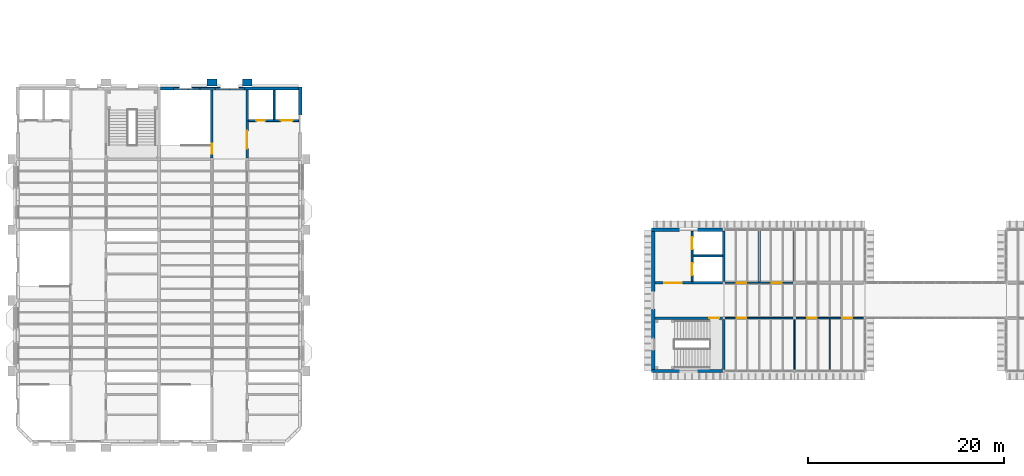
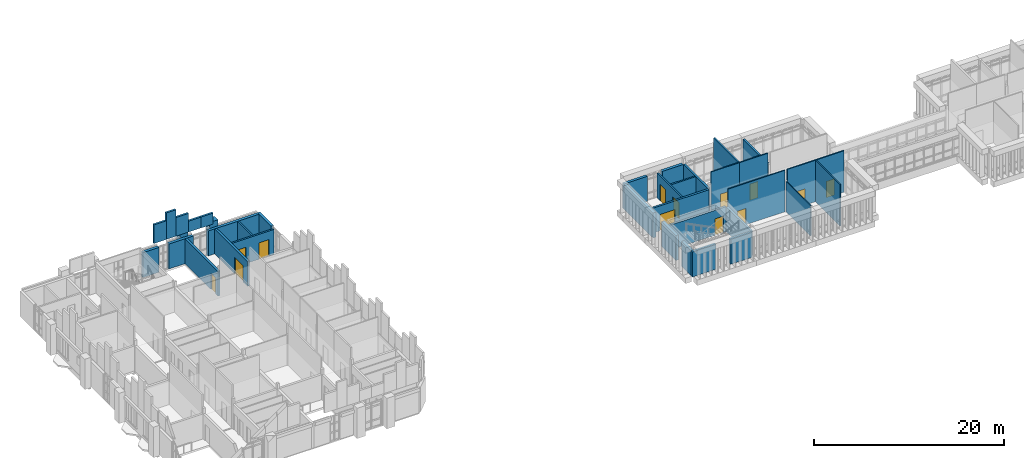
# One storey, part 36 of 51: 37 walls, 13 doors, 13 openings.
"""IFC4 building model written with IfcOpenShell, lengths in metres."""

from ifc_helpers import new_model, si_unit, direction, frame, frame_2d, origin, place, context, subcontext, project, spatial, rectangle, extrude, material, layer, layer_set, type_object, element, fill, save


model = new_model("IFC4")

# Units and contexts
model_context = context("Model", 3, precision=1e-05, world=origin(), true_north=direction((0.0, 1.0)))
body_context = subcontext(model_context, "Body", "Model", "MODEL_VIEW")
ifc_project = project(units=[si_unit("LENGTHUNIT", "METRE"), si_unit("AREAUNIT", "SQUARE_METRE"), si_unit("VOLUMEUNIT", "CUBIC_METRE"), si_unit("PLANEANGLEUNIT", "RADIAN"), si_unit("MASSUNIT", "GRAM", prefix="KILO")], contexts=[model_context])

# Site, building, storey
site_placement = place(None, origin())
site = spatial("IfcSite", under=ifc_project, at=site_placement, CompositionType="ELEMENT")
building_placement = place(site_placement, origin())
building = spatial("IfcBuilding", under=site, at=building_placement, Name="Mazhai Court Health Centre", CompositionType="ELEMENT")
storey_placement = place(building_placement, frame((0.0, 0.0, 14.10009765625)))
storey = spatial("IfcBuildingStorey", under=building, at=storey_placement, Name="L03", CompositionType="ELEMENT", Elevation=14.10009765625)

# Walls
ifc_material_1 = material(Name="Clay brick masonry", Category="masonry")
ifc_layer_1 = layer(ifc_material_1, 0.22998046875)
ifc_layer_set_1 = layer_set([ifc_layer_1], Name="BRICK PARAPET 230")
wall_type_1 = type_object("IfcWallType", Name="BRICK PARAPET 230", PredefinedType="SOLIDWALL", material=ifc_layer_set_1)
wall_1_placement = place(storey_placement, frame((22.10009765625, 42.14990234375, 3.89990234375), z_axis=(0.0, 0.0, 1.0), x_axis=(1.0, 0.0, 0.0)))
element("IfcWall", 1, at=wall_1_placement, inside=storey, type_object=wall_type_1, Name="PR-V5-E2", PredefinedType="SOLIDWALL", context=body_context, shape_type="SweptSolid", body=[
    extrude(rectangle(XDim=1.5, YDim=0.22998046875, at=frame_2d((0.75, 0.0))), origin(), (0.0, 0.0, 1.0), 2.39990234375),
])
wall_2_placement = place(storey_placement, frame((23.60009765625, 42.14990234375, 3.89990234375), z_axis=(0.0, 0.0, 1.0), x_axis=(1.0, 0.0, 0.0)))
element("IfcWall", 2, at=wall_2_placement, inside=storey, type_object=wall_type_1, Name="PR-V5-E3", PredefinedType="SOLIDWALL", context=body_context, shape_type="SweptSolid", body=[
    extrude(rectangle(XDim=1.199951171875, YDim=0.22998046875, at=frame_2d((0.60009765625, 0.0))), origin(), (0.0, 0.0, 1.0), 3.39990234375),
])
wall_3_placement = place(storey_placement, frame((24.800048828125, 42.14990234375, 3.89990234375), z_axis=(0.0, 0.0, 1.0), x_axis=(1.0, 0.0, 0.0)))
element("IfcWall", 3, at=wall_3_placement, inside=storey, type_object=wall_type_1, Name="PR-V5-E4", PredefinedType="SOLIDWALL", context=body_context, shape_type="SweptSolid", body=[
    extrude(rectangle(XDim=1.5, YDim=0.22998046875, at=frame_2d((0.75, 0.0))), origin(), (0.0, 0.0, 1.0), 2.39990234375),
])
for number, where, z_axis, x_axis, name in (
    (4, (26.300048828125, 42.14990234375, 3.89990234375), (0.0, 0.0, 1.0), (1.0, 0.0, 0.0), "PR-V5-E5"),
    (5, (27.800048828125, 42.14990234375, 3.89990234375), (0.0, 0.0, 1.0), (1.0, 0.0, 0.0), "PR-V5-E6"),
):
    element("IfcWall", number, at=place(storey_placement, frame(where, z_axis=z_axis, x_axis=x_axis)), inside=storey, type_object=wall_type_1, Name=name, PredefinedType="SOLIDWALL", context=body_context, shape_type="SweptSolid", body=[
        extrude(rectangle(XDim=1.5, YDim=0.22998046875, at=frame_2d((0.75, 0.0))), origin(), (0.0, 0.0, 1.0), 1.39990234375),
    ])
ifc_material_2 = material(Name="Clay brick masonry", Category="masonry")
ifc_layer_2 = layer(ifc_material_2, 0.75)
ifc_layer_set_2 = layer_set([ifc_layer_2], Name="BRICK PIER 750")
wall_type_2 = type_object("IfcWallType", Name="BRICK PIER 750", PredefinedType="SOLIDWALL", material=ifc_layer_set_2)
for number, where, z_axis, x_axis, name in (
    (6, (25.5, 42.824951171875, 0.0), (0.0, 0.0, 1.0), (1.0, 0.0, 0.0), "EP-V5-L03-E54"),
    (7, (29.10009765625, 42.824951171875, 0.0), (0.0, 0.0, 1.0), (1.0, 0.0, 0.0), "EP-V5-L03-E90"),
):
    element("IfcWall", number, at=place(storey_placement, frame(where, z_axis=z_axis, x_axis=x_axis)), inside=storey, type_object=wall_type_2, Name=name, PredefinedType="SOLIDWALL", context=body_context, shape_type="SweptSolid", body=[
        extrude(rectangle(XDim=1.0, YDim=0.75, at=frame_2d((0.5, 0.0))), origin(), (0.0, 0.0, 1.0), 3.89990234375),
    ])
ifc_material_3 = material(Name="Clay brick masonry", Category="masonry")
ifc_layer_3 = layer(ifc_material_3, 0.330078125)
ifc_layer_set_3 = layer_set([ifc_layer_3], Name="BRICK WALL 330 EXTERNAL")
wall_type_3 = type_object("IfcWallType", Name="BRICK WALL 330 EXTERNAL", PredefinedType="SOLIDWALL", material=ifc_layer_set_3)
wall_4_placement = place(storey_placement, frame((35.0, 42.364990234375, 0.0), z_axis=(0.0, 0.0, 1.0), x_axis=(0.0, -1.0, 0.0)))
element("IfcWall", 8, at=wall_4_placement, inside=storey, type_object=wall_type_3, Name="EW-V5-L03-B4b", PredefinedType="SOLIDWALL", context=body_context, shape_type="SweptSolid", body=[
    extrude(rectangle(XDim=2.864990234375, YDim=0.330078125, at=frame_2d((1.4326171875, 0.0))), origin(), (0.0, 0.0, 1.0), 3.199951171875),
])
wall_5_placement = place(storey_placement, frame((20.764892578125, 42.199951171875, 0.0), z_axis=(0.0, 0.0, 1.0), x_axis=(1.0, 0.0, 0.0)))
element("IfcWall", 9, at=wall_5_placement, inside=storey, type_object=wall_type_3, Name="EW-V5-L03-Ep0", PredefinedType="SOLIDWALL", context=body_context, shape_type="SweptSolid", body=[
    extrude(rectangle(XDim=1.955078125, YDim=0.330078125, at=frame_2d((0.9775390625, 0.0))), origin(), (0.0, 0.0, 1.0), 3.199951171875),
])
wall_6_placement = place(storey_placement, frame((23.919921875, 42.199951171875, 0.0), z_axis=(0.0, 0.0, 1.0), x_axis=(1.0, 0.0, 0.0)))
element("IfcWall", 10, at=wall_6_placement, inside=storey, type_object=wall_type_3, Name="EW-V5-L03-Ep1", PredefinedType="SOLIDWALL", context=body_context, shape_type="SweptSolid", body=[
    extrude(rectangle(XDim=2.97998046875, YDim=0.330078125, at=frame_2d((1.489990234375, 0.0))), origin(), (0.0, 0.0, 1.0), 3.199951171875),
])
wall_7_placement = place(storey_placement, frame((28.699951171875, 42.199951171875, 0.0), z_axis=(0.0, 0.0, 1.0), x_axis=(1.0, 0.0, 0.0)))
element("IfcWall", 11, at=wall_7_placement, inside=storey, type_object=wall_type_3, Name="EW-V5-L03-Ep2", PredefinedType="SOLIDWALL", context=body_context, shape_type="SweptSolid", body=[
    extrude(rectangle(XDim=6.135009765625, YDim=0.330078125, at=frame_2d((3.0673828125, 0.0))), origin(), (0.0, 0.0, 1.0), 3.199951171875),
])
wall_8_placement = place(storey_placement, frame((73.699951171875, 13.39990234375, 0.0), z_axis=(0.0, 0.0, 1.0), x_axis=(-1.0, 0.0, 0.0)))
element("IfcWall", 12, at=wall_8_placement, inside=storey, type_object=wall_type_3, Name="EW-V4-L03-A0a", PredefinedType="SOLIDWALL", context=body_context, shape_type="SweptSolid", body=[
    extrude(rectangle(XDim=2.864990234375, YDim=0.330078125, at=frame_2d((1.4326171875, 0.0))), origin(), (0.0, 0.0, 1.0), 3.199951171875),
])
wall_9_placement = place(storey_placement, frame((78.06005859375, 13.39990234375, 0.0), z_axis=(0.0, 0.0, 1.0), x_axis=(-1.0, 0.0, 0.0)))
element("IfcWall", 13, at=wall_9_placement, inside=storey, type_object=wall_type_3, Name="EW-V4-L03-A0b", PredefinedType="SOLIDWALL", context=body_context, shape_type="SweptSolid", body=[
    extrude(rectangle(XDim=2.56005859375, YDim=0.330078125, at=frame_2d((1.280029296875, 0.0))), origin(), (0.0, 0.0, 1.0), 3.199951171875),
])
wall_10_placement = place(storey_placement, frame((70.8349609375, 27.800048828125, 0.0), z_axis=(0.0, 0.0, 1.0), x_axis=(1.0, 0.0, 0.0)))
element("IfcWall", 14, at=wall_10_placement, inside=storey, type_object=wall_type_3, Name="EW-V4-L03-B0a", PredefinedType="SOLIDWALL", context=body_context, shape_type="SweptSolid", body=[
    extrude(rectangle(XDim=2.864990234375, YDim=0.330078125, at=frame_2d((1.4326171875, 0.0))), origin(), (0.0, 0.0, 1.0), 3.199951171875),
])
wall_11_placement = place(storey_placement, frame((75.5, 27.800048828125, 0.0), z_axis=(0.0, 0.0, 1.0), x_axis=(1.0, 0.0, 0.0)))
element("IfcWall", 15, at=wall_11_placement, inside=storey, type_object=wall_type_3, Name="EW-V4-L03-B0b", PredefinedType="SOLIDWALL", context=body_context, shape_type="SweptSolid", body=[
    extrude(rectangle(XDim=2.56005859375, YDim=0.330078125, at=frame_2d((1.280029296875, 0.0))), origin(), (0.0, 0.0, 1.0), 3.199951171875),
])
wall_12_placement = place(storey_placement, frame((71.0, 13.56494140625, 0.0), z_axis=(0.0, 0.0, 1.0), x_axis=(0.0, 1.0, 0.0)))
element("IfcWall", 16, at=wall_12_placement, inside=storey, type_object=wall_type_3, Name="EW-V4-L03-Sp0", PredefinedType="SOLIDWALL", context=body_context, shape_type="SweptSolid", body=[
    extrude(rectangle(XDim=1.955078125, YDim=0.330078125, at=frame_2d((0.9775390625, 0.0))), origin(), (0.0, 0.0, 1.0), 3.199951171875),
])
wall_13_placement = place(storey_placement, frame((71.0, 16.719970703125, 0.0), z_axis=(0.0, 0.0, 1.0), x_axis=(0.0, 1.0, 0.0)))
element("IfcWall", 17, at=wall_13_placement, inside=storey, type_object=wall_type_3, Name="EW-V4-L03-Sp1", PredefinedType="SOLIDWALL", context=body_context, shape_type="SweptSolid", body=[
    extrude(rectangle(XDim=2.97998046875, YDim=0.330078125, at=frame_2d((1.489990234375, 0.0))), origin(), (0.0, 0.0, 1.0), 3.199951171875),
])
wall_14_placement = place(storey_placement, frame((71.0, 21.5, 0.0), z_axis=(0.0, 0.0, 1.0), x_axis=(0.0, 1.0, 0.0)))
element("IfcWall", 18, at=wall_14_placement, inside=storey, type_object=wall_type_3, Name="EW-V4-L03-Sp2", PredefinedType="SOLIDWALL", context=body_context, shape_type="SweptSolid", body=[
    extrude(rectangle(XDim=6.135009765625, YDim=0.330078125, at=frame_2d((3.0673828125, 0.0))), origin(), (0.0, 0.0, 1.0), 3.199951171875),
])
ifc_material_4 = material(Name="Gypsum plasterboard partition")
ifc_layer_4 = layer(ifc_material_4, 0.125)
ifc_layer_set_4 = layer_set([ifc_layer_4], Name="PARTITION 125 STUD EI30")
wall_type_4 = type_object("IfcWallType", Name="PARTITION 125 STUD EI30", PredefinedType="PARTITIONING", material=ifc_layer_set_4)
wall_15_placement = place(storey_placement, frame((85.39990234375, 13.56494140625, 0.0), z_axis=(0.0, 0.0, 1.0), x_axis=(0.0, 1.0, 0.0)))
element("IfcWall", 19, at=wall_15_placement, inside=storey, type_object=wall_type_4, Name="wall-V4-L03-A0-cross-1a", PredefinedType="PARTITIONING", context=body_context, shape_type="SweptSolid", body=[
    extrude(rectangle(XDim=5.094970703125, YDim=0.125, at=frame_2d((2.54736328125, 0.0))), origin(), (0.0, 0.0, 1.0), 3.89990234375),
])
wall_16_placement = place(storey_placement, frame((89.0, 13.56494140625, 0.0), z_axis=(0.0, 0.0, 1.0), x_axis=(0.0, 1.0, 0.0)))
element("IfcWall", 20, at=wall_16_placement, inside=storey, type_object=wall_type_4, Name="wall-V4-L03-A0-cross-2a", PredefinedType="PARTITIONING", context=body_context, shape_type="SweptSolid", body=[
    extrude(rectangle(XDim=5.16015625, YDim=0.125, at=frame_2d((2.580078125, 0.0))), origin(), (0.0, 0.0, 1.0), 5.331298828125),
])

# Wall, opening, door
ifc_material_5 = material(Name="Gypsum plasterboard partition")
ifc_layer_5 = layer(ifc_material_5, 0.14990234375)
ifc_layer_set_5 = layer_set([ifc_layer_5], Name="PARTITION 150 CORRIDOR EI60")
wall_type_5 = type_object("IfcWallType", Name="PARTITION 150 CORRIDOR EI60", PredefinedType="PARTITIONING", material=ifc_layer_set_5)
wall_17_placement = place(storey_placement, frame((85.260009765625, 18.800048828125, 0.0), z_axis=(0.0, 0.0, 1.0), x_axis=(-1.0, 0.0, 0.0)))
wall_17 = element("IfcWall", 21, at=wall_17_placement, inside=storey, type_object=wall_type_5, Name="wall-V4-L03-A0-corr-0a", PredefinedType="PARTITIONING", context=body_context, shape_type="SweptSolid", body=[
    extrude(rectangle(XDim=6.919921875, YDim=0.14990234375, at=frame_2d((3.4599609375, 0.0))), origin(), (0.0, 0.0, 1.0), 5.331298828125),
])
opening_1_placement = place(wall_17_placement, frame((4.760009765625, 0.0, 0.0)))
opening_1 = element("IfcOpeningElement", 22, at=opening_1_placement, cuts=wall_17, Name="Opening D-L03-038", PredefinedType="OPENING", context=body_context, shape_type="SweptSolid", body=[
    extrude(rectangle(XDim=1.0, YDim=2.10009765625, at=frame_2d((0.5, 1.050048828125))), frame((0.0, 0.0849609375, 0.0), z_axis=(0.0, -1.0, 0.0), x_axis=(1.0, 0.0, 0.0)), (0.0, 0.0, 1.0), 0.169921875),
])
ifc_material_6 = material(Name="Hardwood door leaf", Category="wood")
door_type_1 = type_object("IfcDoorType", Name="DOOR 1000x2100 FD30S SINGLE", OperationType="NOTDEFINED", PredefinedType="DOOR", material=ifc_material_6)
door_1_placement = place(opening_1_placement, origin())
door_1 = element("IfcDoor", 23, at=door_1_placement, inside=storey, type_object=door_type_1, Name="door-V4-L03-A0-antenatal-clinic", OperationType="SINGLE_SWING_RIGHT", OverallHeight=2.10009765625, OverallWidth=1.0, PredefinedType="DOOR", context=body_context, shape_type="SweptSolid", body=[
    extrude(rectangle(XDim=1.0, YDim=2.10009765625, at=frame_2d((0.5, 1.050048828125))), frame((0.0, 0.02490234375, 0.0), z_axis=(0.0, -1.0, 0.0), x_axis=(1.0, 0.0, 0.0)), (0.0, 0.0, 1.0), 0.050048828125),
])
fill(opening_1, door_1)

wall_18_placement = place(storey_placement, frame((89.0, 18.800048828125, 0.0), z_axis=(0.0, 0.0, 1.0), x_axis=(-1.0, 0.0, 0.0)))
wall_18 = element("IfcWall", 24, at=wall_18_placement, inside=storey, type_object=wall_type_5, Name="wall-V4-L03-A0-corr-1a", PredefinedType="PARTITIONING", context=body_context, shape_type="SweptSolid", body=[
    extrude(rectangle(XDim=3.4599609375, YDim=0.14990234375, at=frame_2d((1.72998046875, 0.0))), origin(), (0.0, 0.0, 1.0), 5.331298828125),
])
opening_2_placement = place(wall_18_placement, frame((1.300048828125, 0.0, 0.0)))
opening_2 = element("IfcOpeningElement", 25, at=opening_2_placement, cuts=wall_18, Name="Opening D-L03-041", PredefinedType="OPENING", context=body_context, shape_type="SweptSolid", body=[
    extrude(rectangle(XDim=1.0, YDim=2.10009765625, at=frame_2d((0.5, 1.050048828125))), frame((0.0, 0.0849609375, 0.0), z_axis=(0.0, -1.0, 0.0), x_axis=(1.0, 0.0, 0.0)), (0.0, 0.0, 1.0), 0.169921875),
])
door_2_placement = place(opening_2_placement, origin())
door_2 = element("IfcDoor", 26, at=door_2_placement, inside=storey, type_object=door_type_1, Name="door-V4-L03-A0-paediatric-consulting-room-1", OperationType="SINGLE_SWING_RIGHT", OverallHeight=2.10009765625, OverallWidth=1.0, PredefinedType="DOOR", context=body_context, shape_type="SweptSolid", body=[
    extrude(rectangle(XDim=1.0, YDim=2.10009765625, at=frame_2d((0.5, 1.050048828125))), frame((0.0, 0.02490234375, 0.0), z_axis=(0.0, -1.0, 0.0), x_axis=(1.0, 0.0, 0.0)), (0.0, 0.0, 1.0), 0.050048828125),
])
fill(opening_2, door_2)

wall_19_placement = place(storey_placement, frame((92.43505859375, 18.800048828125, 0.0), z_axis=(0.0, 0.0, 1.0), x_axis=(-1.0, 0.0, 0.0)))
wall_19 = element("IfcWall", 27, at=wall_19_placement, inside=storey, type_object=wall_type_5, Name="wall-V4-L03-A0-corr-2a", PredefinedType="PARTITIONING", context=body_context, shape_type="SweptSolid", body=[
    extrude(rectangle(XDim=3.43505859375, YDim=0.14990234375, at=frame_2d((1.717529296875, 0.0))), origin(), (0.0, 0.0, 1.0), 5.331298828125),
])
opening_3_placement = place(wall_19_placement, frame((1.135009765625, 0.0, 0.0)))
opening_3 = element("IfcOpeningElement", 28, at=opening_3_placement, cuts=wall_19, Name="Opening D-L03-043", PredefinedType="OPENING", context=body_context, shape_type="SweptSolid", body=[
    extrude(rectangle(XDim=1.0, YDim=2.10009765625, at=frame_2d((0.5, 1.050048828125))), frame((0.0, 0.0849609375, 0.0), z_axis=(0.0, -1.0, 0.0), x_axis=(1.0, 0.0, 0.0)), (0.0, 0.0, 1.0), 0.169921875),
])
door_3_placement = place(opening_3_placement, origin())
door_3 = element("IfcDoor", 29, at=door_3_placement, inside=storey, type_object=door_type_1, Name="door-V4-L03-A0-paediatric-consulting-room-2", OperationType="SINGLE_SWING_LEFT", OverallHeight=2.10009765625, OverallWidth=1.0, PredefinedType="DOOR", context=body_context, shape_type="SweptSolid", body=[
    extrude(rectangle(XDim=1.0, YDim=2.10009765625, at=frame_2d((0.5, 1.050048828125))), frame((0.0, 0.02490234375, 0.0), z_axis=(0.0, -1.0, 0.0), x_axis=(1.0, 0.0, 0.0)), (0.0, 0.0, 1.0), 0.050048828125),
])
fill(opening_3, door_3)

wall_20_placement = place(storey_placement, frame((78.340087890625, 22.39990234375, 0.0), z_axis=(0.0, 0.0, 1.0), x_axis=(1.0, 0.0, 0.0)))
wall_20 = element("IfcWall", 30, at=wall_20_placement, inside=storey, type_object=wall_type_5, Name="wall-V4-L03-B0-corr-0a", PredefinedType="PARTITIONING", context=body_context, shape_type="SweptSolid", body=[
    extrude(rectangle(XDim=3.4599609375, YDim=0.14990234375, at=frame_2d((1.72998046875, 0.0))), origin(), (0.0, 0.0, 1.0), 5.331298828125),
])
opening_4_placement = place(wall_20_placement, frame((1.159912109375, 0.0, 0.0)))
opening_4 = element("IfcOpeningElement", 31, at=opening_4_placement, cuts=wall_20, Name="Opening D-L03-039", PredefinedType="OPENING", context=body_context, shape_type="SweptSolid", body=[
    extrude(rectangle(XDim=1.0, YDim=2.10009765625, at=frame_2d((0.5, 1.050048828125))), frame((0.0, 0.0849609375, 0.0), z_axis=(0.0, -1.0, 0.0), x_axis=(1.0, 0.0, 0.0)), (0.0, 0.0, 1.0), 0.169921875),
])
door_4_placement = place(opening_4_placement, origin())
door_4 = element("IfcDoor", 32, at=door_4_placement, inside=storey, type_object=door_type_1, Name="door-V4-L03-B0-counselling-room-1", OperationType="SINGLE_SWING_LEFT", OverallHeight=2.10009765625, OverallWidth=1.0, PredefinedType="DOOR", context=body_context, shape_type="SweptSolid", body=[
    extrude(rectangle(XDim=1.0, YDim=2.10009765625, at=frame_2d((0.5, 1.050048828125))), frame((0.0, 0.02490234375, 0.0), z_axis=(0.0, -1.0, 0.0), x_axis=(1.0, 0.0, 0.0)), (0.0, 0.0, 1.0), 0.050048828125),
])
fill(opening_4, door_4)

wall_21_placement = place(storey_placement, frame((81.800048828125, 22.39990234375, 0.0), z_axis=(0.0, 0.0, 1.0), x_axis=(1.0, 0.0, 0.0)))
wall_21 = element("IfcWall", 33, at=wall_21_placement, inside=storey, type_object=wall_type_5, Name="wall-V4-L03-B0-corr-1a", PredefinedType="PARTITIONING", context=body_context, shape_type="SweptSolid", body=[
    extrude(rectangle(XDim=3.4599609375, YDim=0.14990234375, at=frame_2d((1.72998046875, 0.0))), origin(), (0.0, 0.0, 1.0), 5.331298828125),
])
opening_5_placement = place(wall_21_placement, frame((1.300048828125, 0.0, 0.0)))
opening_5 = element("IfcOpeningElement", 34, at=opening_5_placement, cuts=wall_21, Name="Opening D-L03-040", PredefinedType="OPENING", context=body_context, shape_type="SweptSolid", body=[
    extrude(rectangle(XDim=1.0, YDim=2.10009765625, at=frame_2d((0.5, 1.050048828125))), frame((0.0, 0.0849609375, 0.0), z_axis=(0.0, -1.0, 0.0), x_axis=(1.0, 0.0, 0.0)), (0.0, 0.0, 1.0), 0.169921875),
])
door_5_placement = place(opening_5_placement, origin())
door_5 = element("IfcDoor", 35, at=door_5_placement, inside=storey, type_object=door_type_1, Name="door-V4-L03-B0-counselling-room-2", OperationType="SINGLE_SWING_RIGHT", OverallHeight=2.10009765625, OverallWidth=1.0, PredefinedType="DOOR", context=body_context, shape_type="SweptSolid", body=[
    extrude(rectangle(XDim=1.0, YDim=2.10009765625, at=frame_2d((0.5, 1.050048828125))), frame((0.0, 0.02490234375, 0.0), z_axis=(0.0, -1.0, 0.0), x_axis=(1.0, 0.0, 0.0)), (0.0, 0.0, 1.0), 0.050048828125),
])
fill(opening_5, door_5)

# Walls
ifc_material_7 = material(Name="Gypsum plasterboard partition")
ifc_layer_6 = layer(ifc_material_7, 0.199951171875)
ifc_layer_set_6 = layer_set([ifc_layer_6], Name="PARTITION 200 ACOUSTIC EI30")
wall_type_6 = type_object("IfcWallType", Name="PARTITION 200 ACOUSTIC EI30", PredefinedType="PARTITIONING", material=ifc_layer_set_6)
wall_22_placement = place(storey_placement, frame((81.800048828125, 27.635009765625, 0.0), z_axis=(0.0, 0.0, 1.0), x_axis=(0.0, -1.0, 0.0)))
element("IfcWall", 36, at=wall_22_placement, inside=storey, type_object=wall_type_6, Name="wall-V4-L03-B0-cross-1a", PredefinedType="PARTITIONING", context=body_context, shape_type="SweptSolid", body=[
    extrude(rectangle(XDim=5.159912109375, YDim=0.199951171875, at=frame_2d((2.580078125, 0.0))), origin(), (0.0, 0.0, 1.0), 5.331298828125),
])
wall_23_placement = place(storey_placement, frame((85.39990234375, 27.635009765625, 0.0), z_axis=(0.0, 0.0, 1.0), x_axis=(0.0, -1.0, 0.0)))
element("IfcWall", 37, at=wall_23_placement, inside=storey, type_object=wall_type_6, Name="wall-V4-L03-B0-cross-2a", PredefinedType="PARTITIONING", context=body_context, shape_type="SweptSolid", body=[
    extrude(rectangle(XDim=5.094970703125, YDim=0.199951171875, at=frame_2d((2.54736328125, 0.0))), origin(), (0.0, 0.0, 1.0), 3.89990234375),
])

# Wall, opening, door
ifc_material_8 = material(Name="Concrete M40", Category="concrete")
ifc_layer_7 = layer(ifc_material_8, 0.25)
ifc_layer_set_7 = layer_set([ifc_layer_7], Name="RC CORE WALL 250 M40")
wall_type_7 = type_object("IfcWallType", Name="RC CORE WALL 250 M40", PredefinedType="SHEAR", material=ifc_layer_set_7)
wall_24_placement = place(storey_placement, frame((26.0, 35.139892578125, 0.0), z_axis=(0.0, 0.0, 1.0), x_axis=(0.0, 1.0, 0.0)))
wall_24 = element("IfcWall", 38, at=wall_24_placement, inside=storey, type_object=wall_type_7, Name="core-C5-w-stair-corr-L03", PredefinedType="SHEAR", context=body_context, shape_type="SweptSolid", body=[
    extrude(rectangle(XDim=6.89501953125, YDim=0.25, at=frame_2d((3.447509765625, 0.0))), origin(), (0.0, 0.0, 1.0), 3.199951171875),
])
opening_6_placement = place(wall_24_placement, frame((0.43505859375, 0.0, 0.0)))
opening_6 = element("IfcOpeningElement", 39, at=opening_6_placement, cuts=wall_24, Name="Opening D-L03-024", PredefinedType="OPENING", context=body_context, shape_type="SweptSolid", body=[
    extrude(rectangle(XDim=1.0, YDim=2.10009765625, at=frame_2d((0.5, 1.050048828125))), frame((0.0, 0.135009765625, 0.0), z_axis=(0.0, -1.0, 0.0), x_axis=(1.0, 0.0, 0.0)), (0.0, 0.0, 1.0), 0.27001953125),
])
ifc_material_9 = material(Name="Steel fire door leaf", Category="steel")
door_type_2 = type_object("IfcDoorType", Name="FD120S STAIR DOOR 1000x2100", OperationType="SINGLE_SWING_LEFT", PredefinedType="DOOR", material=ifc_material_9)
door_6_placement = place(opening_6_placement, origin())
door_6 = element("IfcDoor", 40, at=door_6_placement, inside=storey, type_object=door_type_2, Name="Stair 5 door L03", OperationType="SINGLE_SWING_LEFT", OverallHeight=2.10009765625, OverallWidth=1.0, PredefinedType="DOOR", context=body_context, shape_type="SweptSolid", body=[
    extrude(rectangle(XDim=1.0, YDim=2.10009765625, at=frame_2d((0.5, 1.050048828125))), frame((0.0, 0.02490234375, 0.0), z_axis=(0.0, -1.0, 0.0), x_axis=(1.0, 0.0, 0.0)), (0.0, 0.0, 1.0), 0.050048828125),
])
fill(opening_6, door_6)

wall_25_placement = place(storey_placement, frame((29.60009765625, 35.139892578125, 0.0), z_axis=(0.0, 0.0, 1.0), x_axis=(0.0, 1.0, 0.0)))
wall_25 = element("IfcWall", 41, at=wall_25_placement, inside=storey, type_object=wall_type_7, Name="core-C5-w-other-corr-L03", PredefinedType="SHEAR", context=body_context, shape_type="SweptSolid", body=[
    extrude(rectangle(XDim=6.89501953125, YDim=0.25, at=frame_2d((3.447509765625, 0.0))), origin(), (0.0, 0.0, 1.0), 3.199951171875),
])
opening_7_placement = place(wall_25_placement, frame((0.93994140625, 0.0, 0.0)))
opening_7 = element("IfcOpeningElement", 42, at=opening_7_placement, cuts=wall_25, Name="Opening D-L03-035", PredefinedType="OPENING", context=body_context, shape_type="SweptSolid", body=[
    extrude(rectangle(XDim=1.800048828125, YDim=2.10009765625, at=frame_2d((0.89990234375, 1.050048828125))), frame((0.0, 0.135009765625, 0.0), z_axis=(0.0, -1.0, 0.0), x_axis=(1.0, 0.0, 0.0)), (0.0, 0.0, 1.0), 0.27001953125),
])
ifc_material_10 = material(Name="Steel fire door leaf", Category="steel")
door_type_3 = type_object("IfcDoorType", Name="FD60S LIFT LOBBY DOOR 1800x2100", OperationType="DOUBLE_DOOR_SINGLE_SWING", PredefinedType="DOOR", material=ifc_material_10)
door_7_placement = place(opening_7_placement, origin())
door_7 = element("IfcDoor", 43, at=door_7_placement, inside=storey, type_object=door_type_3, Name="Lift lobby door L03", OperationType="DOUBLE_DOOR_SINGLE_SWING", OverallHeight=2.10009765625, OverallWidth=1.800048828125, PredefinedType="DOOR", context=body_context, shape_type="SweptSolid", body=[
    extrude(rectangle(XDim=1.800048828125, YDim=2.10009765625, at=frame_2d((0.89990234375, 1.050048828125))), frame((0.0, 0.02490234375, 0.0), z_axis=(0.0, -1.0, 0.0), x_axis=(1.0, 0.0, 0.0)), (0.0, 0.0, 1.0), 0.050048828125),
])
fill(opening_7, door_7)

wall_26_placement = place(storey_placement, frame((71.1650390625, 18.800048828125, 0.0), z_axis=(0.0, 0.0, 1.0), x_axis=(1.0, 0.0, 0.0)))
wall_26 = element("IfcWall", 44, at=wall_26_placement, inside=storey, type_object=wall_type_7, Name="core-C6-w-stair-corr-L03", PredefinedType="SHEAR", context=body_context, shape_type="SweptSolid", body=[
    extrude(rectangle(XDim=6.89501953125, YDim=0.25, at=frame_2d((3.447509765625, 0.0))), origin(), (0.0, 0.0, 1.0), 3.199951171875),
])
opening_8_placement = place(wall_26_placement, frame((5.56005859375, 0.0, 0.0)))
opening_8 = element("IfcOpeningElement", 45, at=opening_8_placement, cuts=wall_26, Name="Opening D-L03-037", PredefinedType="OPENING", context=body_context, shape_type="SweptSolid", body=[
    extrude(rectangle(XDim=1.0, YDim=2.10009765625, at=frame_2d((0.5, 1.050048828125))), frame((0.0, 0.135009765625, 0.0), z_axis=(0.0, -1.0, 0.0), x_axis=(1.0, 0.0, 0.0)), (0.0, 0.0, 1.0), 0.27001953125),
])
door_8_placement = place(opening_8_placement, origin())
door_8 = element("IfcDoor", 46, at=door_8_placement, inside=storey, type_object=door_type_2, Name="Stair 6 door L03", OperationType="SINGLE_SWING_RIGHT", OverallHeight=2.10009765625, OverallWidth=1.0, PredefinedType="DOOR", context=body_context, shape_type="SweptSolid", body=[
    extrude(rectangle(XDim=1.0, YDim=2.10009765625, at=frame_2d((0.5, 1.050048828125))), frame((0.0, 0.02490234375, 0.0), z_axis=(0.0, -1.0, 0.0), x_axis=(1.0, 0.0, 0.0)), (0.0, 0.0, 1.0), 0.050048828125),
])
fill(opening_8, door_8)

# Wall
wall_27_placement = place(storey_placement, frame((78.199951171875, 13.5400390625, 0.0), z_axis=(0.0, 0.0, 1.0), x_axis=(0.0, 1.0, 0.0)))
element("IfcWall", 47, at=wall_27_placement, inside=storey, type_object=wall_type_7, Name="core-C6-w-stair-line0-L03", PredefinedType="SHEAR", context=body_context, shape_type="SweptSolid", body=[
    extrude(rectangle(XDim=5.119873046875, YDim=0.25, at=frame_2d((2.56005859375, 0.0))), origin(), (0.0, 0.0, 1.0), 3.199951171875),
])

# Wall, opening, door
wall_28_placement = place(storey_placement, frame((71.1650390625, 22.39990234375, 0.0), z_axis=(0.0, 0.0, 1.0), x_axis=(1.0, 0.0, 0.0)))
wall_28 = element("IfcWall", 48, at=wall_28_placement, inside=storey, type_object=wall_type_7, Name="core-C6-w-other-corr-L03", PredefinedType="SHEAR", context=body_context, shape_type="SweptSolid", body=[
    extrude(rectangle(XDim=6.89501953125, YDim=0.25, at=frame_2d((3.447509765625, 0.0))), origin(), (0.0, 0.0, 1.0), 3.199951171875),
])
opening_9_placement = place(wall_28_placement, frame((0.955078125, 0.0, 0.0)))
opening_9 = element("IfcOpeningElement", 49, at=opening_9_placement, cuts=wall_28, Name="Opening D-L03-036", PredefinedType="OPENING", context=body_context, shape_type="SweptSolid", body=[
    extrude(rectangle(XDim=1.800048828125, YDim=2.10009765625, at=frame_2d((0.89990234375, 1.050048828125))), frame((0.0, 0.135009765625, 0.0), z_axis=(0.0, -1.0, 0.0), x_axis=(1.0, 0.0, 0.0)), (0.0, 0.0, 1.0), 0.27001953125),
])
door_9_placement = place(opening_9_placement, origin())
door_9 = element("IfcDoor", 50, at=door_9_placement, inside=storey, type_object=door_type_3, Name="Lift lobby door L03", OperationType="DOUBLE_DOOR_SINGLE_SWING", OverallHeight=2.10009765625, OverallWidth=1.800048828125, PredefinedType="DOOR", context=body_context, shape_type="SweptSolid", body=[
    extrude(rectangle(XDim=1.800048828125, YDim=2.10009765625, at=frame_2d((0.89990234375, 1.050048828125))), frame((0.0, 0.02490234375, 0.0), z_axis=(0.0, -1.0, 0.0), x_axis=(1.0, 0.0, 0.0)), (0.0, 0.0, 1.0), 0.050048828125),
])
fill(opening_9, door_9)

# Wall
wall_29_placement = place(storey_placement, frame((78.199951171875, 22.5400390625, 0.0), z_axis=(0.0, 0.0, 1.0), x_axis=(0.0, 1.0, 0.0)))
element("IfcWall", 51, at=wall_29_placement, inside=storey, type_object=wall_type_7, Name="core-C6-w-other-line0-L03", PredefinedType="SHEAR", context=body_context, shape_type="SweptSolid", body=[
    extrude(rectangle(XDim=5.119873046875, YDim=0.25, at=frame_2d((2.56005859375, 0.0))), origin(), (0.0, 0.0, 1.0), 3.199951171875),
])

# Wall, openings, doors
ifc_material_11 = material(Name="Concrete M40", Category="concrete")
ifc_layer_8 = layer(ifc_material_11, 0.199951171875)
ifc_layer_set_8 = layer_set([ifc_layer_8], Name="RC SHAFT WALL 200 M40")
wall_type_8 = type_object("IfcWallType", Name="RC SHAFT WALL 200 M40", PredefinedType="SHEAR", material=ifc_layer_set_8)
wall_30_placement = place(storey_placement, frame((29.72509765625, 38.93505859375, 0.0), z_axis=(0.0, 0.0, 1.0), x_axis=(1.0, 0.0, 0.0)))
wall_30 = element("IfcWall", 52, at=wall_30_placement, inside=storey, type_object=wall_type_8, Name="core-C5-w-front-L03", PredefinedType="SHEAR", context=body_context, shape_type="SweptSolid", body=[
    extrude(rectangle(XDim=5.10986328125, YDim=0.199951171875, at=frame_2d((2.554931640625, 0.0))), origin(), (0.0, 0.0, 1.0), 3.199951171875),
])
opening_10_placement = place(wall_30_placement, frame((3.31005859375, 0.0, 0.0)))
opening_10 = element("IfcOpeningElement", 53, at=opening_10_placement, cuts=wall_30, Name="Opening LD3-L03", PredefinedType="OPENING", context=body_context, shape_type="SweptSolid", body=[
    extrude(rectangle(XDim=1.199951171875, YDim=2.10009765625, at=frame_2d((0.60009765625, 1.050048828125))), frame((0.0, 0.10986328125, 0.0), z_axis=(0.0, -1.0, 0.0), x_axis=(1.0, 0.0, 0.0)), (0.0, 0.0, 1.0), 0.219970703125),
])
opening_11_placement = place(wall_30_placement, frame((0.804931640625, 0.0, 0.0)))
opening_11 = element("IfcOpeningElement", 54, at=opening_11_placement, cuts=wall_30, Name="Opening LD4-L03", PredefinedType="OPENING", context=body_context, shape_type="SweptSolid", body=[
    extrude(rectangle(XDim=0.89990234375, YDim=2.10009765625, at=frame_2d((0.449951171875, 1.050048828125))), frame((0.0, 0.10986328125, 0.0), z_axis=(0.0, -1.0, 0.0), x_axis=(1.0, 0.0, 0.0)), (0.0, 0.0, 1.0), 0.219970703125),
])
ifc_material_12 = material(Name="Stainless steel lift door", Category="steel")
door_type_4 = type_object("IfcDoorType", Name="LIFT LANDING DOOR 1200x2100", OperationType="DOUBLE_DOOR_SLIDING", PredefinedType="DOOR", material=ifc_material_12)
door_10_placement = place(opening_10_placement, origin())
door_10 = element("IfcDoor", 55, at=door_10_placement, inside=storey, type_object=door_type_4, Name="Landing door LD3 L03", OperationType="DOUBLE_DOOR_SLIDING", OverallHeight=2.10009765625, OverallWidth=1.199951171875, PredefinedType="DOOR", context=body_context, shape_type="SweptSolid", body=[
    extrude(rectangle(XDim=1.199951171875, YDim=2.10009765625, at=frame_2d((0.60009765625, 1.050048828125))), frame((0.0, 0.02490234375, 0.0), z_axis=(0.0, -1.0, 0.0), x_axis=(1.0, 0.0, 0.0)), (0.0, 0.0, 1.0), 0.050048828125),
])
fill(opening_10, door_10)
ifc_material_13 = material(Name="Stainless steel lift door", Category="steel")
door_type_5 = type_object("IfcDoorType", Name="LIFT LANDING DOOR 900x2100", OperationType="DOUBLE_DOOR_SLIDING", PredefinedType="DOOR", material=ifc_material_13)
door_11_placement = place(opening_11_placement, origin())
door_11 = element("IfcDoor", 56, at=door_11_placement, inside=storey, type_object=door_type_5, Name="Landing door LD4 L03", OperationType="DOUBLE_DOOR_SLIDING", OverallHeight=2.10009765625, OverallWidth=0.89990234375, PredefinedType="DOOR", context=body_context, shape_type="SweptSolid", body=[
    extrude(rectangle(XDim=0.89990234375, YDim=2.10009765625, at=frame_2d((0.449951171875, 1.050048828125))), frame((0.0, 0.02490234375, 0.0), z_axis=(0.0, -1.0, 0.0), x_axis=(1.0, 0.0, 0.0)), (0.0, 0.0, 1.0), 0.050048828125),
])
fill(opening_11, door_11)

# Wall
wall_31_placement = place(storey_placement, frame((32.3349609375, 42.034912109375, 0.0), z_axis=(0.0, 0.0, 1.0), x_axis=(0.0, -1.0, 0.0)))
element("IfcWall", 57, at=wall_31_placement, inside=storey, type_object=wall_type_8, Name="core-C5-w-divider0-L03", PredefinedType="SHEAR", context=body_context, shape_type="SweptSolid", body=[
    extrude(rectangle(XDim=3.0, YDim=0.199951171875, at=frame_2d((1.5, 0.0))), origin(), (0.0, 0.0, 1.0), 3.199951171875),
])

# Wall, openings, doors
wall_32_placement = place(storey_placement, frame((74.97509765625, 22.52490234375, 0.0), z_axis=(0.0, 0.0, 1.0), x_axis=(0.0, 1.0, 0.0)))
wall_32 = element("IfcWall", 58, at=wall_32_placement, inside=storey, type_object=wall_type_8, Name="core-C6-w-front-L03", PredefinedType="SHEAR", context=body_context, shape_type="SweptSolid", body=[
    extrude(rectangle(XDim=5.110107421875, YDim=0.199951171875, at=frame_2d((2.55517578125, 0.0))), origin(), (0.0, 0.0, 1.0), 3.199951171875),
])
opening_12_placement = place(wall_32_placement, frame((3.31005859375, 0.0, 0.0)))
opening_12 = element("IfcOpeningElement", 59, at=opening_12_placement, cuts=wall_32, Name="Opening LD5-L03", PredefinedType="OPENING", context=body_context, shape_type="SweptSolid", body=[
    extrude(rectangle(XDim=1.199951171875, YDim=2.10009765625, at=frame_2d((0.60009765625, 1.050048828125))), frame((0.0, 0.10986328125, 0.0), z_axis=(0.0, -1.0, 0.0), x_axis=(1.0, 0.0, 0.0)), (0.0, 0.0, 1.0), 0.219970703125),
])
opening_13_placement = place(wall_32_placement, frame((0.655029296875, 0.0, 0.0)))
opening_13 = element("IfcOpeningElement", 60, at=opening_13_placement, cuts=wall_32, Name="Opening LD6-L03", PredefinedType="OPENING", context=body_context, shape_type="SweptSolid", body=[
    extrude(rectangle(XDim=1.199951171875, YDim=2.10009765625, at=frame_2d((0.60009765625, 1.050048828125))), frame((0.0, 0.10986328125, 0.0), z_axis=(0.0, -1.0, 0.0), x_axis=(1.0, 0.0, 0.0)), (0.0, 0.0, 1.0), 0.219970703125),
])
door_12_placement = place(opening_12_placement, origin())
door_12 = element("IfcDoor", 61, at=door_12_placement, inside=storey, type_object=door_type_4, Name="Landing door LD5 L03", OperationType="DOUBLE_DOOR_SLIDING", OverallHeight=2.10009765625, OverallWidth=1.199951171875, PredefinedType="DOOR", context=body_context, shape_type="SweptSolid", body=[
    extrude(rectangle(XDim=1.199951171875, YDim=2.10009765625, at=frame_2d((0.60009765625, 1.050048828125))), frame((0.0, 0.02490234375, 0.0), z_axis=(0.0, -1.0, 0.0), x_axis=(1.0, 0.0, 0.0)), (0.0, 0.0, 1.0), 0.050048828125),
])
fill(opening_12, door_12)
door_13_placement = place(opening_13_placement, origin())
door_13 = element("IfcDoor", 62, at=door_13_placement, inside=storey, type_object=door_type_4, Name="Landing door LD6 L03", OperationType="DOUBLE_DOOR_SLIDING", OverallHeight=2.10009765625, OverallWidth=1.199951171875, PredefinedType="DOOR", context=body_context, shape_type="SweptSolid", body=[
    extrude(rectangle(XDim=1.199951171875, YDim=2.10009765625, at=frame_2d((0.60009765625, 1.050048828125))), frame((0.0, 0.02490234375, 0.0), z_axis=(0.0, -1.0, 0.0), x_axis=(1.0, 0.0, 0.0)), (0.0, 0.0, 1.0), 0.050048828125),
])
fill(opening_13, door_13)

# Wall
wall_33_placement = place(storey_placement, frame((78.074951171875, 25.135009765625, 0.0), z_axis=(0.0, 0.0, 1.0), x_axis=(-1.0, 0.0, 0.0)))
element("IfcWall", 63, at=wall_33_placement, inside=storey, type_object=wall_type_8, Name="core-C6-w-divider0-L03", PredefinedType="SHEAR", context=body_context, shape_type="SweptSolid", body=[
    extrude(rectangle(XDim=3.0, YDim=0.199951171875, at=frame_2d((1.5, 0.0))), origin(), (0.0, 0.0, 1.0), 3.199951171875),
])

save(model, "model.ifc")
